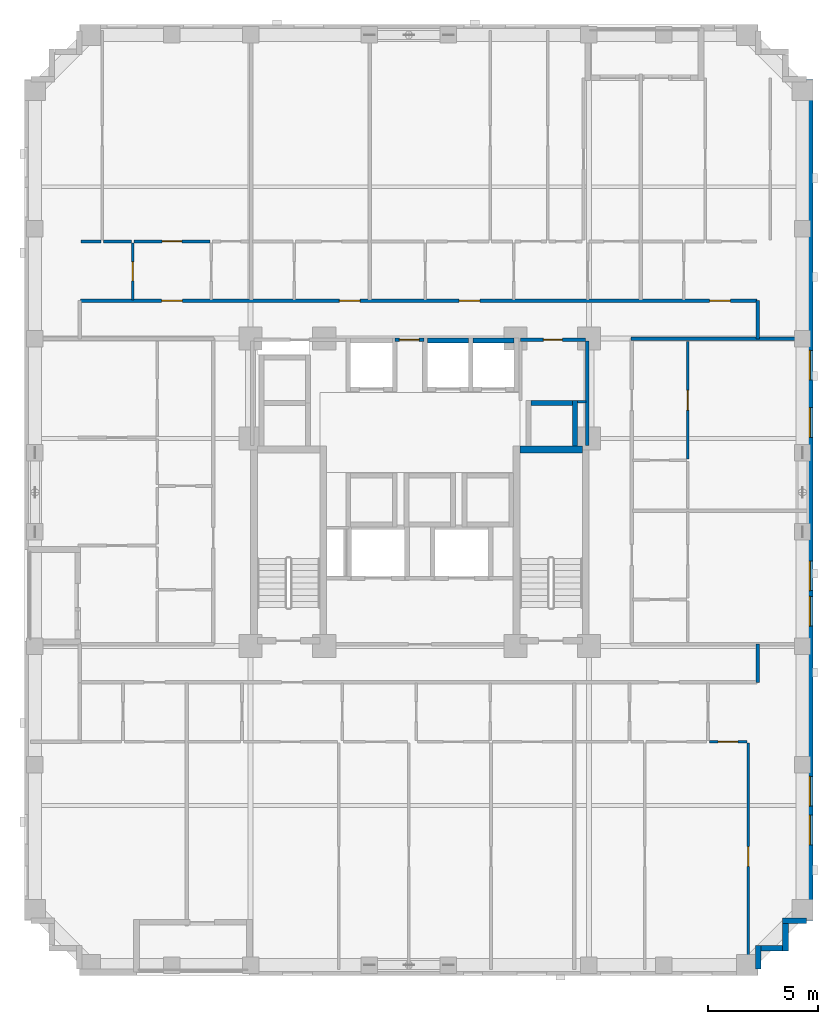
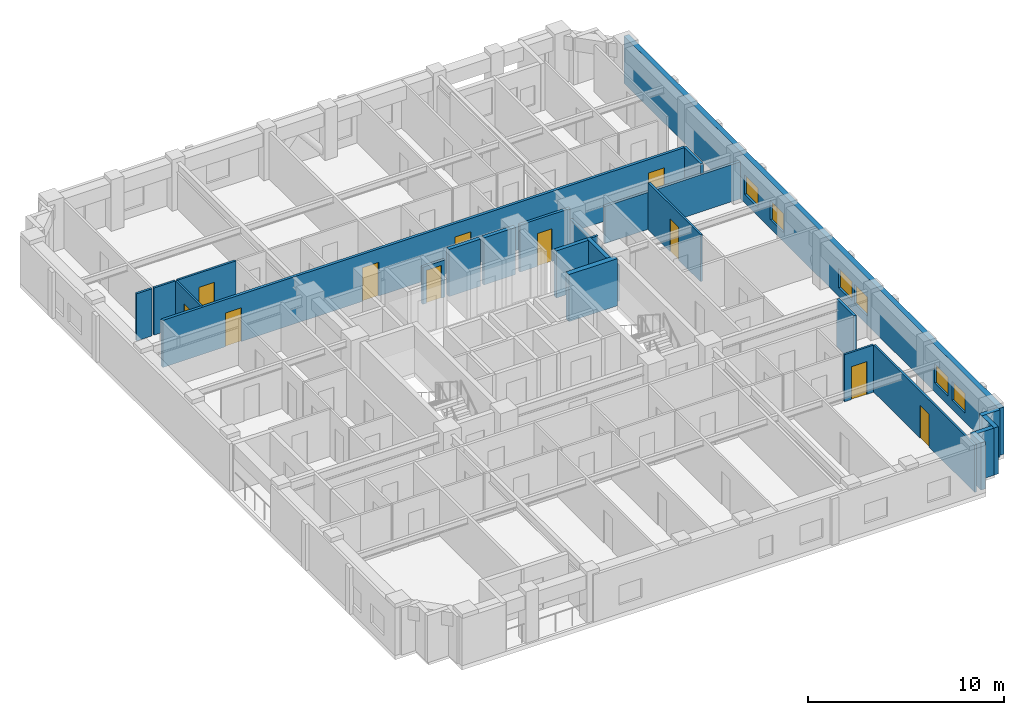
# One storey, part 6 of 12: 25 walls, 11 doors, 6 windows, 17 openings.
"""IFC4 building model written with IfcOpenShell, lengths in metres."""

from ifc_helpers import new_model, si_unit, derived_unit, direction, frame, frame_2d, origin, place, context, subcontext, project, spatial, rectangle, extrude, material, layer, layer_set, type_object, element, fill, save


model = new_model("IFC4")

# Units and contexts
model_context = context("Model", 3, precision=1e-05, world=origin(), true_north=direction((0.0, 1.0)))
body_context = subcontext(model_context, "Body", "Model", "MODEL_VIEW")
ifc_project = project(units=[si_unit("LENGTHUNIT", "METRE"), si_unit("AREAUNIT", "SQUARE_METRE"), si_unit("VOLUMEUNIT", "CUBIC_METRE"), si_unit("PLANEANGLEUNIT", "RADIAN"), si_unit("MASSUNIT", "GRAM", prefix="KILO"), derived_unit("THERMALTRANSMITTANCEUNIT", [(si_unit("MASSUNIT", "GRAM", prefix="KILO"), 1), (si_unit("TIMEUNIT", "SECOND"), -3), (si_unit("THERMODYNAMICTEMPERATUREUNIT", "KELVIN"), -1)])], contexts=[model_context])

# Site, building, storey
site_placement = place(None, origin())
site = spatial("IfcSite", under=ifc_project, at=site_placement, CompositionType="ELEMENT")
building_placement = place(site_placement, origin())
building = spatial("IfcBuilding", under=site, at=building_placement, Name="Korrvale Station Residences", CompositionType="ELEMENT")
storey_placement = place(building_placement, frame((0.0, 0.0, 107.10009765625)))
storey = spatial("IfcBuildingStorey", under=building, at=storey_placement, Name="L30", CompositionType="ELEMENT", Elevation=107.10009765625)

# Walls
ifc_material_1 = material(Name="Concrete C60/75", Category="concrete")
ifc_layer_1 = layer(ifc_material_1, 0.300048828125, Name="Concrete C60/75")
ifc_layer_set_1 = layer_set([ifc_layer_1], Name="Concrete C60/75")
wall_type_1 = type_object("IfcWallType", Name="WAL-CORE-300-C60", PredefinedType="SHEAR", material=ifc_layer_set_1)
wall_1_placement = place(storey_placement, frame((30.050048828125, 23.949951171875, 0.0), z_axis=(0.0, 0.0, 1.0), x_axis=(1.0, 0.0, 0.0)))
element("IfcWall", 1, at=wall_1_placement, inside=storey, type_object=wall_type_1, Name="L30 ST-2 Core Shear Wall North", PredefinedType="SHEAR", context=body_context, shape_type="SweptSolid", body=[
    extrude(rectangle(XDim=2.849853515625, YDim=0.300048828125, at=frame_2d((1.4248046875, 0.0))), origin(), (0.0, 0.0, 1.0), 2.93994140625),
])
ifc_material_2 = material(Name="Precast concrete C45/55", Category="concrete")
ifc_layer_2 = layer(ifc_material_2, 0.260009765625, Name="Precast concrete C45/55")
ifc_layer_set_2 = layer_set([ifc_layer_2], Name="Precast concrete C45/55")
wall_type_2 = type_object("IfcWallType", Name="WAL-EXT-LOG260", PredefinedType="SOLIDWALL", material=ifc_layer_set_2)
wall_2_placement = place(storey_placement, frame((43.097900390625, 2.5, 0.0), z_axis=(0.0, 0.0, 1.0), x_axis=(-1.0, 0.0, 0.0)))
element("IfcWall", 2, at=wall_2_placement, inside=storey, type_object=wall_type_2, Name="L30 Serrated Corner Precast Step SE-1", PredefinedType="SOLIDWALL", context=body_context, shape_type="SweptSolid", body=[
    extrude(rectangle(XDim=1.077880859375, YDim=0.260009765625, at=frame_2d((0.5390625, 0.0))), origin(), (0.0, 0.0, 1.0), 2.93994140625),
])
wall_3_placement = place(storey_placement, frame((42.14990234375, 2.367919921875, 0.0), z_axis=(0.0, 0.0, 1.0), x_axis=(0.0, -1.0, 0.0)))
element("IfcWall", 3, at=wall_3_placement, inside=storey, type_object=wall_type_2, Name="L30 Serrated Corner Precast Step SE-2", PredefinedType="SOLIDWALL", context=body_context, shape_type="SweptSolid", body=[
    extrude(rectangle(XDim=1.247802734375, YDim=0.260009765625, at=frame_2d((0.6240234375, 0.0))), origin(), (0.0, 0.0, 1.0), 2.93994140625),
])
wall_4_placement = place(storey_placement, frame((42.01806640625, 1.25, 0.0), z_axis=(0.0, 0.0, 1.0), x_axis=(-1.0, 0.0, 0.0)))
element("IfcWall", 4, at=wall_4_placement, inside=storey, type_object=wall_type_2, Name="L30 Serrated Corner Precast Step SE-3", PredefinedType="SOLIDWALL", context=body_context, shape_type="SweptSolid", body=[
    extrude(rectangle(XDim=0.986083984375, YDim=0.260009765625, at=frame_2d((0.4931640625, 0.0))), origin(), (0.0, 0.0, 1.0), 2.93994140625),
])
wall_5_placement = place(storey_placement, frame((40.89990234375, 1.3798828125, 0.0), z_axis=(0.0, 0.0, 1.0), x_axis=(0.0, -1.0, 0.0)))
element("IfcWall", 5, at=wall_5_placement, inside=storey, type_object=wall_type_2, Name="L30 Serrated Corner Precast Step SE-4", PredefinedType="SOLIDWALL", context=body_context, shape_type="SweptSolid", body=[
    extrude(rectangle(XDim=1.077880859375, YDim=0.260009765625, at=frame_2d((0.5390625, 0.0))), origin(), (0.0, 0.0, 1.0), 2.93994140625),
])

# Wall, openings, windows
ifc_layer_3 = layer(ifc_material_2, 0.300048828125, Name="Precast concrete C45/55")
ifc_layer_set_3 = layer_set([ifc_layer_3], Name="Precast concrete C45/55")
wall_type_3 = type_object("IfcWallType", Name="WAL-EXT-PC300", PredefinedType="SOLIDWALL", material=ifc_layer_set_3)
wall_6_placement = place(storey_placement, frame((43.25, 40.800048828125, 0.0), z_axis=(0.0, 0.0, 1.0), x_axis=(0.0, -1.0, 0.0)))
wall_6 = element("IfcWall", 6, at=wall_6_placement, inside=storey, type_object=wall_type_3, Name="L30 East Exterior Precast Wall 1", PredefinedType="SOLIDWALL", context=body_context, shape_type="SweptSolid", body=[
    extrude(rectangle(XDim=38.300048828125, YDim=0.300048828125, at=frame_2d((19.14990234375, 0.0))), origin(), (0.0, 0.0, 1.0), 2.93994140625),
])
opening_1_placement = place(wall_6_placement, frame((33.4951171875, 0.0, 0.550048828125)))
opening_1 = element("IfcOpeningElement", 7, at=opening_1_placement, cuts=wall_6, Name="Opening W-10", PredefinedType="OPENING", context=body_context, shape_type="SweptSolid", body=[
    extrude(rectangle(XDim=1.35009765625, YDim=1.199951171875, at=frame_2d((0.675048828125, 0.60009765625))), frame((0.0, 0.16015625, 0.0), z_axis=(0.0, -1.0, 0.0), x_axis=(1.0, 0.0, 0.0)), (0.0, 0.0, 1.0), 0.320068359375),
])
opening_2_placement = place(wall_6_placement, frame((31.735107421875, 0.0, 0.550048828125)))
opening_2 = element("IfcOpeningElement", 8, at=opening_2_placement, cuts=wall_6, Name="Opening W-10", PredefinedType="OPENING", context=body_context, shape_type="SweptSolid", body=[
    extrude(rectangle(XDim=1.35009765625, YDim=1.199951171875, at=frame_2d((0.675048828125, 0.60009765625))), frame((0.0, 0.16015625, 0.0), z_axis=(0.0, -1.0, 0.0), x_axis=(1.0, 0.0, 0.0)), (0.0, 0.0, 1.0), 0.320068359375),
])
opening_3_placement = place(wall_6_placement, frame((21.929931640625, 0.0, 0.550048828125)))
opening_3 = element("IfcOpeningElement", 9, at=opening_3_placement, cuts=wall_6, Name="Opening W-10", PredefinedType="OPENING", context=body_context, shape_type="SweptSolid", body=[
    extrude(rectangle(XDim=1.35009765625, YDim=1.199951171875, at=frame_2d((0.675048828125, 0.60009765625))), frame((0.0, 0.16015625, 0.0), z_axis=(0.0, -1.0, 0.0), x_axis=(1.0, 0.0, 0.0)), (0.0, 0.0, 1.0), 0.320068359375),
])
opening_4_placement = place(wall_6_placement, frame((23.5400390625, 0.0, 0.550048828125)))
opening_4 = element("IfcOpeningElement", 10, at=opening_4_placement, cuts=wall_6, Name="Opening W-10", PredefinedType="OPENING", context=body_context, shape_type="SweptSolid", body=[
    extrude(rectangle(XDim=1.35009765625, YDim=1.199951171875, at=frame_2d((0.675048828125, 0.60009765625))), frame((0.0, 0.16015625, 0.0), z_axis=(0.0, -1.0, 0.0), x_axis=(1.0, 0.0, 0.0)), (0.0, 0.0, 1.0), 0.320068359375),
])
opening_5_placement = place(wall_6_placement, frame((14.949951171875, 0.0, 0.550048828125)))
opening_5 = element("IfcOpeningElement", 11, at=opening_5_placement, cuts=wall_6, Name="Opening W-10", PredefinedType="OPENING", context=body_context, shape_type="SweptSolid", body=[
    extrude(rectangle(XDim=1.35009765625, YDim=1.199951171875, at=frame_2d((0.675048828125, 0.60009765625))), frame((0.0, 0.16015625, 0.0), z_axis=(0.0, -1.0, 0.0), x_axis=(1.0, 0.0, 0.0)), (0.0, 0.0, 1.0), 0.320068359375),
])
opening_6_placement = place(wall_6_placement, frame((12.3349609375, 0.0, 0.550048828125)))
opening_6 = element("IfcOpeningElement", 12, at=opening_6_placement, cuts=wall_6, Name="Opening W-10", PredefinedType="OPENING", context=body_context, shape_type="SweptSolid", body=[
    extrude(rectangle(XDim=1.35009765625, YDim=1.199951171875, at=frame_2d((0.675048828125, 0.60009765625))), frame((0.0, 0.16015625, 0.0), z_axis=(0.0, -1.0, 0.0), x_axis=(1.0, 0.0, 0.0)), (0.0, 0.0, 1.0), 0.320068359375),
])
ifc_material_3 = material(Name="Thermally broken aluminium frame with triple low-e glazing", Category="aluminium")
window_type = type_object("IfcWindowType", Name="WIN-W10", PartitioningType="SINGLE_PANEL", PredefinedType="WINDOW", material=ifc_material_3)
window_1_placement = place(opening_1_placement, origin())
window_1 = element("IfcWindow", 13, at=window_1_placement, inside=storey, type_object=window_type, Name="L30 Punched Window 08", OverallHeight=1.199951171875, OverallWidth=1.35009765625, PartitioningType="SINGLE_PANEL", PredefinedType="WINDOW", context=body_context, shape_type="SweptSolid", body=[
    extrude(rectangle(XDim=1.35009765625, YDim=1.199951171875, at=frame_2d((0.675048828125, 0.60009765625))), frame((0.0, 0.030029296875, 0.0), z_axis=(0.0, -1.0, 0.0), x_axis=(1.0, 0.0, 0.0)), (0.0, 0.0, 1.0), 0.06005859375),
])
fill(opening_1, window_1)
window_2_placement = place(opening_2_placement, origin())
window_2 = element("IfcWindow", 14, at=window_2_placement, inside=storey, type_object=window_type, Name="L30 Punched Window 09", OverallHeight=1.199951171875, OverallWidth=1.35009765625, PartitioningType="SINGLE_PANEL", PredefinedType="WINDOW", context=body_context, shape_type="SweptSolid", body=[
    extrude(rectangle(XDim=1.35009765625, YDim=1.199951171875, at=frame_2d((0.675048828125, 0.60009765625))), frame((0.0, 0.030029296875, 0.0), z_axis=(0.0, -1.0, 0.0), x_axis=(1.0, 0.0, 0.0)), (0.0, 0.0, 1.0), 0.06005859375),
])
fill(opening_2, window_2)
window_3_placement = place(opening_3_placement, origin())
window_3 = element("IfcWindow", 15, at=window_3_placement, inside=storey, type_object=window_type, Name="L30 Punched Window 21", OverallHeight=1.199951171875, OverallWidth=1.35009765625, PartitioningType="SINGLE_PANEL", PredefinedType="WINDOW", context=body_context, shape_type="SweptSolid", body=[
    extrude(rectangle(XDim=1.35009765625, YDim=1.199951171875, at=frame_2d((0.675048828125, 0.60009765625))), frame((0.0, 0.030029296875, 0.0), z_axis=(0.0, -1.0, 0.0), x_axis=(1.0, 0.0, 0.0)), (0.0, 0.0, 1.0), 0.06005859375),
])
fill(opening_3, window_3)
window_4_placement = place(opening_4_placement, origin())
window_4 = element("IfcWindow", 16, at=window_4_placement, inside=storey, type_object=window_type, Name="L30 Punched Window 22", OverallHeight=1.199951171875, OverallWidth=1.35009765625, PartitioningType="SINGLE_PANEL", PredefinedType="WINDOW", context=body_context, shape_type="SweptSolid", body=[
    extrude(rectangle(XDim=1.35009765625, YDim=1.199951171875, at=frame_2d((0.675048828125, 0.60009765625))), frame((0.0, 0.030029296875, 0.0), z_axis=(0.0, -1.0, 0.0), x_axis=(1.0, 0.0, 0.0)), (0.0, 0.0, 1.0), 0.06005859375),
])
fill(opening_4, window_4)
window_5_placement = place(opening_5_placement, origin())
window_5 = element("IfcWindow", 17, at=window_5_placement, inside=storey, type_object=window_type, Name="L30 Punched Window 23", OverallHeight=1.199951171875, OverallWidth=1.35009765625, PartitioningType="SINGLE_PANEL", PredefinedType="WINDOW", context=body_context, shape_type="SweptSolid", body=[
    extrude(rectangle(XDim=1.35009765625, YDim=1.199951171875, at=frame_2d((0.675048828125, 0.60009765625))), frame((0.0, 0.030029296875, 0.0), z_axis=(0.0, -1.0, 0.0), x_axis=(1.0, 0.0, 0.0)), (0.0, 0.0, 1.0), 0.06005859375),
])
fill(opening_5, window_5)
window_6_placement = place(opening_6_placement, origin())
window_6 = element("IfcWindow", 18, at=window_6_placement, inside=storey, type_object=window_type, Name="L30 Punched Window 24", OverallHeight=1.199951171875, OverallWidth=1.35009765625, PartitioningType="SINGLE_PANEL", PredefinedType="WINDOW", context=body_context, shape_type="SweptSolid", body=[
    extrude(rectangle(XDim=1.35009765625, YDim=1.199951171875, at=frame_2d((0.675048828125, 0.60009765625))), frame((0.0, 0.030029296875, 0.0), z_axis=(0.0, -1.0, 0.0), x_axis=(1.0, 0.0, 0.0)), (0.0, 0.0, 1.0), 0.06005859375),
])
fill(opening_6, window_6)

# Wall
ifc_material_4 = material(Name="Acoustic steel-stud gypsum board partition", Category="steel")
ifc_layer_4 = layer(ifc_material_4, 0.1201171875, Name="Acoustic steel-stud gypsum board partition")
ifc_layer_set_4 = layer_set([ifc_layer_4], Name="Acoustic steel-stud gypsum board partition")
wall_type_4 = type_object("IfcWallType", Name="WAL-PART-125", PredefinedType="PARTITIONING", material=ifc_layer_set_4)
wall_7_placement = place(storey_placement, frame((32.679931640625, 26.1201171875, 0.0), z_axis=(0.0, 0.0, 1.0), x_axis=(1.0, 0.0, 0.0)))
element("IfcWall", 19, at=wall_7_placement, inside=storey, type_object=wall_type_4, Name="L30 Core Partition CW-CS-S", PredefinedType="PARTITIONING", context=body_context, shape_type="SweptSolid", body=[
    extrude(rectangle(XDim=0.380126953125, YDim=0.1201171875, at=frame_2d((0.18994140625, 0.0))), origin(), (0.0, 0.0, 1.0), 2.93994140625),
])

# Wall, opening, door
wall_8_placement = place(storey_placement, frame((38.676025390625, 10.64990234375, 0.0), z_axis=(0.0, 0.0, 1.0), x_axis=(1.0, 0.0, 0.0)))
wall_8 = element("IfcWall", 20, at=wall_8_placement, inside=storey, type_object=wall_type_4, Name="L30 Suite Partition U03-H24", PredefinedType="PARTITIONING", context=body_context, shape_type="SweptSolid", body=[
    extrude(rectangle(XDim=1.7138671875, YDim=0.1201171875, at=frame_2d((0.85693359375, 0.0))), origin(), (0.0, 0.0, 1.0), 2.93994140625),
])
opening_7_placement = place(wall_8_placement, frame((0.406982421875, 0.0, 0.0)))
opening_7 = element("IfcOpeningElement", 21, at=opening_7_placement, cuts=wall_8, Name="Opening DI-900", PredefinedType="OPENING", context=body_context, shape_type="SweptSolid", body=[
    extrude(rectangle(XDim=0.89990234375, YDim=2.050048828125, at=frame_2d((0.449951171875, 1.02490234375))), frame((0.0, 0.070068359375, 0.0), z_axis=(0.0, -1.0, 0.0), x_axis=(1.0, 0.0, 0.0)), (0.0, 0.0, 1.0), 0.14013671875),
])
ifc_material_5 = material(Name="Painted solid-core timber interior room door", Category="wood")
door_type_1 = type_object("IfcDoorType", Name="DR-INT-900", OperationType="NOTDEFINED", PredefinedType="DOOR", material=ifc_material_5)
door_1_placement = place(opening_7_placement, origin())
door_1 = element("IfcDoor", 22, at=door_1_placement, inside=storey, type_object=door_type_1, Name="L30 Studio Apartment L30-U03 Utility and Laundry Room Door", OperationType="SINGLE_SWING_RIGHT", OverallHeight=2.050048828125, OverallWidth=0.89990234375, PredefinedType="DOOR", context=body_context, shape_type="SweptSolid", body=[
    extrude(rectangle(XDim=0.89990234375, YDim=2.050048828125, at=frame_2d((0.449951171875, 1.02490234375))), frame((0.0, 0.02490234375, 0.0), z_axis=(0.0, -1.0, 0.0), x_axis=(1.0, 0.0, 0.0)), (0.0, 0.0, 1.0), 0.050048828125),
])
fill(opening_7, door_1)

wall_9_placement = place(storey_placement, frame((40.449951171875, 0.280029296875, 0.0), z_axis=(0.0, 0.0, 1.0), x_axis=(0.0, 1.0, 0.0)))
wall_9 = element("IfcWall", 23, at=wall_9_placement, inside=storey, type_object=wall_type_4, Name="L30 Suite Partition U03-V45", PredefinedType="PARTITIONING", context=body_context, shape_type="SweptSolid", body=[
    extrude(rectangle(XDim=10.31005859375, YDim=0.1201171875, at=frame_2d((5.155029296875, 0.0))), origin(), (0.0, 0.0, 1.0), 2.93994140625),
])
opening_8_placement = place(wall_9_placement, frame((4.68994140625, 0.0, 0.0)))
opening_8 = element("IfcOpeningElement", 24, at=opening_8_placement, cuts=wall_9, Name="Opening DI-900", PredefinedType="OPENING", context=body_context, shape_type="SweptSolid", body=[
    extrude(rectangle(XDim=0.89990234375, YDim=2.050048828125, at=frame_2d((0.449951171875, 1.02490234375))), frame((0.0, 0.070068359375, 0.0), z_axis=(0.0, -1.0, 0.0), x_axis=(1.0, 0.0, 0.0)), (0.0, 0.0, 1.0), 0.14013671875),
])
door_2_placement = place(opening_8_placement, origin())
door_2 = element("IfcDoor", 25, at=door_2_placement, inside=storey, type_object=door_type_1, Name="L30 Studio Apartment L30-U03 Studio Living Room Door", OperationType="SINGLE_SWING_RIGHT", OverallHeight=2.050048828125, OverallWidth=0.89990234375, PredefinedType="DOOR", context=body_context, shape_type="SweptSolid", body=[
    extrude(rectangle(XDim=0.89990234375, YDim=2.050048828125, at=frame_2d((0.449951171875, 1.02490234375))), frame((0.0, 0.02490234375, 0.0), z_axis=(0.0, -1.0, 0.0), x_axis=(1.0, 0.0, 0.0)), (0.0, 0.0, 1.0), 0.050048828125),
])
fill(opening_8, door_2)

wall_10_placement = place(storey_placement, frame((12.431884765625, 30.760009765625, 0.0), z_axis=(0.0, 0.0, 1.0), x_axis=(0.0, 1.0, 0.0)))
wall_10 = element("IfcWall", 26, at=wall_10_placement, inside=storey, type_object=wall_type_4, Name="L30 Suite Partition U04-V01", PredefinedType="PARTITIONING", context=body_context, shape_type="SweptSolid", body=[
    extrude(rectangle(XDim=2.60009765625, YDim=0.1201171875, at=frame_2d((1.300048828125, 0.0))), origin(), (0.0, 0.0, 1.0), 2.93994140625),
])
opening_9_placement = place(wall_10_placement, frame((0.8701171875, 0.0, 0.0)))
opening_9 = element("IfcOpeningElement", 27, at=opening_9_placement, cuts=wall_10, Name="Opening DB-860", PredefinedType="OPENING", context=body_context, shape_type="SweptSolid", body=[
    extrude(rectangle(XDim=0.860107421875, YDim=2.050048828125, at=frame_2d((0.43017578125, 1.02490234375))), frame((0.0, 0.070068359375, 0.0), z_axis=(0.0, -1.0, 0.0), x_axis=(1.0, 0.0, 0.0)), (0.0, 0.0, 1.0), 0.14013671875),
])
ifc_material_6 = material(Name="Moisture-resistant solid-core bathroom door", Category="timber")
door_type_2 = type_object("IfcDoorType", Name="DR-BATH-860", OperationType="NOTDEFINED", PredefinedType="DOOR", material=ifc_material_6)
door_3_placement = place(opening_9_placement, origin())
door_3 = element("IfcDoor", 28, at=door_3_placement, inside=storey, type_object=door_type_2, Name="L30 Studio Apartment L30-U04 Bathroom Door", OperationType="SINGLE_SWING_LEFT", OverallHeight=2.050048828125, OverallWidth=0.860107421875, PredefinedType="DOOR", context=body_context, shape_type="SweptSolid", body=[
    extrude(rectangle(XDim=0.860107421875, YDim=2.050048828125, at=frame_2d((0.43017578125, 1.02490234375))), frame((0.0, 0.02490234375, 0.0), z_axis=(0.0, -1.0, 0.0), x_axis=(1.0, 0.0, 0.0)), (0.0, 0.0, 1.0), 0.050048828125),
])
fill(opening_9, door_3)

# Walls
wall_11_placement = place(storey_placement, frame((10.080078125, 33.419921875, 0.0), z_axis=(0.0, 0.0, 1.0), x_axis=(1.0, 0.0, 0.0)))
element("IfcWall", 29, at=wall_11_placement, inside=storey, type_object=wall_type_4, Name="L30 Suite Partition U04-H03", PredefinedType="PARTITIONING", context=body_context, shape_type="SweptSolid", body=[
    extrude(rectangle(XDim=0.909912109375, YDim=0.1201171875, at=frame_2d((0.455078125, 0.0))), origin(), (0.0, 0.0, 1.0), 2.93994140625),
])
wall_12_placement = place(storey_placement, frame((11.110107421875, 33.419921875, 0.0), z_axis=(0.0, 0.0, 1.0), x_axis=(1.0, 0.0, 0.0)))
element("IfcWall", 30, at=wall_12_placement, inside=storey, type_object=wall_type_4, Name="L30 Suite Partition U04-H04", PredefinedType="PARTITIONING", context=body_context, shape_type="SweptSolid", body=[
    extrude(rectangle(XDim=1.261962890625, YDim=0.1201171875, at=frame_2d((0.630859375, 0.0))), origin(), (0.0, 0.0, 1.0), 2.93994140625),
])

# Wall, opening, door
wall_13_placement = place(storey_placement, frame((12.491943359375, 33.419921875, 0.0), z_axis=(0.0, 0.0, 1.0), x_axis=(1.0, 0.0, 0.0)))
wall_13 = element("IfcWall", 31, at=wall_13_placement, inside=storey, type_object=wall_type_4, Name="L30 Suite Partition U04-H14", PredefinedType="PARTITIONING", context=body_context, shape_type="SweptSolid", body=[
    extrude(rectangle(XDim=3.449951171875, YDim=0.1201171875, at=frame_2d((1.72509765625, 0.0))), origin(), (0.0, 0.0, 1.0), 2.93994140625),
])
opening_10_placement = place(wall_13_placement, frame((1.27490234375, 0.0, 0.0)))
opening_10 = element("IfcOpeningElement", 32, at=opening_10_placement, cuts=wall_13, Name="Opening DI-900", PredefinedType="OPENING", context=body_context, shape_type="SweptSolid", body=[
    extrude(rectangle(XDim=0.89990234375, YDim=2.050048828125, at=frame_2d((0.449951171875, 1.02490234375))), frame((0.0, 0.070068359375, 0.0), z_axis=(0.0, -1.0, 0.0), x_axis=(1.0, 0.0, 0.0)), (0.0, 0.0, 1.0), 0.14013671875),
])
door_4_placement = place(opening_10_placement, origin())
door_4 = element("IfcDoor", 33, at=door_4_placement, inside=storey, type_object=door_type_1, Name="L30 Studio Apartment L30-U04 Kitchen Door", OperationType="SINGLE_SWING_LEFT", OverallHeight=2.050048828125, OverallWidth=0.89990234375, PredefinedType="DOOR", context=body_context, shape_type="SweptSolid", body=[
    extrude(rectangle(XDim=0.89990234375, YDim=2.050048828125, at=frame_2d((0.449951171875, 1.02490234375))), frame((0.0, 0.02490234375, 0.0), z_axis=(0.0, -1.0, 0.0), x_axis=(1.0, 0.0, 0.0)), (0.0, 0.0, 1.0), 0.050048828125),
])
fill(opening_10, door_4)

wall_14_placement = place(storey_placement, frame((37.699951171875, 23.527099609375, 0.0), z_axis=(0.0, 0.0, 1.0), x_axis=(0.0, 1.0, 0.0)))
wall_14 = element("IfcWall", 34, at=wall_14_placement, inside=storey, type_object=wall_type_4, Name="L30 Suite Partition U10-V12", PredefinedType="PARTITIONING", context=body_context, shape_type="SweptSolid", body=[
    extrude(rectangle(XDim=5.3330078125, YDim=0.1201171875, at=frame_2d((2.66650390625, 0.0))), origin(), (0.0, 0.0, 1.0), 2.93994140625),
])
opening_11_placement = place(wall_14_placement, frame((2.216064453125, 0.0, 0.0)))
opening_11 = element("IfcOpeningElement", 35, at=opening_11_placement, cuts=wall_14, Name="Opening DI-900", PredefinedType="OPENING", context=body_context, shape_type="SweptSolid", body=[
    extrude(rectangle(XDim=0.89990234375, YDim=2.050048828125, at=frame_2d((0.449951171875, 1.02490234375))), frame((0.0, 0.070068359375, 0.0), z_axis=(0.0, -1.0, 0.0), x_axis=(1.0, 0.0, 0.0)), (0.0, 0.0, 1.0), 0.14013671875),
])
door_5_placement = place(opening_11_placement, origin())
door_5 = element("IfcDoor", 36, at=door_5_placement, inside=storey, type_object=door_type_1, Name="L30 Apartment 1BR L30-U10 Kitchen Door", OperationType="SINGLE_SWING_LEFT", OverallHeight=2.050048828125, OverallWidth=0.89990234375, PredefinedType="DOOR", context=body_context, shape_type="SweptSolid", body=[
    extrude(rectangle(XDim=0.89990234375, YDim=2.050048828125, at=frame_2d((0.449951171875, 1.02490234375))), frame((0.0, 0.02490234375, 0.0), z_axis=(0.0, -1.0, 0.0), x_axis=(1.0, 0.0, 0.0)), (0.0, 0.0, 1.0), 0.050048828125),
])
fill(opening_11, door_5)

# Wall
ifc_material_7 = material(Name="Fire-rated twin-stud gypsum and mineral wool shaftwall assembly", Category="gypsum")
ifc_layer_5 = layer(ifc_material_7, 0.159912109375, Name="Fire-rated twin-stud gypsum and mineral wool shaftwall assembly")
ifc_layer_set_5 = layer_set([ifc_layer_5], Name="Fire-rated twin-stud gypsum and mineral wool shaftwall assembly")
wall_type_5 = type_object("IfcWallType", Name="WAL-PART-200", PredefinedType="PARTITIONING", material=ifc_layer_set_5)
wall_15_placement = place(storey_placement, frame((33.1201171875, 24.1201171875, 0.0), z_axis=(0.0, 0.0, 1.0), x_axis=(0.0, 1.0, 0.0)))
element("IfcWall", 37, at=wall_15_placement, inside=storey, type_object=wall_type_5, Name="L30 Core Partition CW-E-N", PredefinedType="PARTITIONING", context=body_context, shape_type="SweptSolid", body=[
    extrude(rectangle(XDim=4.759765625, YDim=0.159912109375, at=frame_2d((2.3798828125, 0.0))), origin(), (0.0, 0.0, 1.0), 2.27490234375),
])

# Wall, opening, door
wall_16_placement = place(storey_placement, frame((24.360107421875, 28.949951171875, 0.0), z_axis=(0.0, 0.0, 1.0), x_axis=(1.0, 0.0, 0.0)))
wall_16 = element("IfcWall", 38, at=wall_16_placement, inside=storey, type_object=wall_type_5, Name="L30 Core Partition CW-LLOB-N", PredefinedType="PARTITIONING", context=body_context, shape_type="SweptSolid", body=[
    extrude(rectangle(XDim=1.31982421875, YDim=0.159912109375, at=frame_2d((0.659912109375, 0.0))), origin(), (0.0, 0.0, 1.0), 2.31298828125),
])
opening_12_placement = place(wall_16_placement, frame((0.2099609375, 0.0, 0.0)))
opening_12 = element("IfcOpeningElement", 39, at=opening_12_placement, cuts=wall_16, Name="Opening DI-900", PredefinedType="OPENING", context=body_context, shape_type="SweptSolid", body=[
    extrude(rectangle(XDim=0.89990234375, YDim=2.050048828125, at=frame_2d((0.449951171875, 1.02490234375))), frame((0.0, 0.08984375, 0.0), z_axis=(0.0, -1.0, 0.0), x_axis=(1.0, 0.0, 0.0)), (0.0, 0.0, 1.0), 0.179931640625),
])
door_6_placement = place(opening_12_placement, origin())
door_6 = element("IfcDoor", 40, at=door_6_placement, inside=storey, type_object=door_type_1, Name="L30 Central Hallway North Passage Door", OperationType="SINGLE_SWING_LEFT", OverallHeight=2.050048828125, OverallWidth=0.89990234375, PredefinedType="DOOR", context=body_context, shape_type="SweptSolid", body=[
    extrude(rectangle(XDim=0.89990234375, YDim=2.050048828125, at=frame_2d((0.449951171875, 1.02490234375))), frame((0.0, 0.02490234375, 0.0), z_axis=(0.0, -1.0, 0.0), x_axis=(1.0, 0.0, 0.0)), (0.0, 0.0, 1.0), 0.050048828125),
])
fill(opening_12, door_6)

wall_17_placement = place(storey_placement, frame((30.080078125, 28.949951171875, 0.0), z_axis=(0.0, 0.0, 1.0), x_axis=(1.0, 0.0, 0.0)))
wall_17 = element("IfcWall", 41, at=wall_17_placement, inside=storey, type_object=wall_type_5, Name="L30 Core Partition CW-CS-N", PredefinedType="PARTITIONING", context=body_context, shape_type="SweptSolid", body=[
    extrude(rectangle(XDim=2.9599609375, YDim=0.159912109375, at=frame_2d((1.47998046875, 0.0))), origin(), (0.0, 0.0, 1.0), 2.93994140625),
])
opening_13_placement = place(wall_17_placement, frame((1.044921875, 0.0, 0.0)))
opening_13 = element("IfcOpeningElement", 42, at=opening_13_placement, cuts=wall_17, Name="Opening DB-860", PredefinedType="OPENING", context=body_context, shape_type="SweptSolid", body=[
    extrude(rectangle(XDim=0.860107421875, YDim=2.050048828125, at=frame_2d((0.43017578125, 1.02490234375))), frame((0.0, 0.08984375, 0.0), z_axis=(0.0, -1.0, 0.0), x_axis=(1.0, 0.0, 0.0)), (0.0, 0.0, 1.0), 0.179931640625),
])
door_7_placement = place(opening_13_placement, origin())
door_7 = element("IfcDoor", 43, at=door_7_placement, inside=storey, type_object=door_type_2, Name="L30 Parcel Room Door", OperationType="SINGLE_SWING_LEFT", OverallHeight=2.050048828125, OverallWidth=0.860107421875, PredefinedType="DOOR", context=body_context, shape_type="SweptSolid", body=[
    extrude(rectangle(XDim=0.860107421875, YDim=2.050048828125, at=frame_2d((0.43017578125, 1.02490234375))), frame((0.0, 0.02490234375, 0.0), z_axis=(0.0, -1.0, 0.0), x_axis=(1.0, 0.0, 0.0)), (0.0, 0.0, 1.0), 0.050048828125),
])
fill(opening_13, door_7)

# Walls
for number, where, z_axis, x_axis, name in (
    (44, (40.8798828125, 13.35009765625, 0.0), (0.0, 0.0, 1.0), (0.0, 1.0, 0.0), "L30 Corridor South East Cap"),
    (45, (40.8798828125, 28.97998046875, 0.0), (0.0, 0.0, 1.0), (0.0, 1.0, 0.0), "L30 Corridor North East Cap"),
):
    element("IfcWall", number, at=place(storey_placement, frame(where, z_axis=z_axis, x_axis=x_axis)), inside=storey, type_object=wall_type_5, Name=name, PredefinedType="PARTITIONING", context=body_context, shape_type="SweptSolid", body=[
        extrude(rectangle(XDim=1.739990234375, YDim=0.159912109375, at=frame_2d((0.8701171875, 0.0))), origin(), (0.0, 0.0, 1.0), 2.93994140625),
    ])
wall_18_placement = place(storey_placement, frame((35.110107421875, 28.97998046875, 0.0), z_axis=(0.0, 0.0, 1.0), x_axis=(1.0, 0.0, 0.0)))
element("IfcWall", 46, at=wall_18_placement, inside=storey, type_object=wall_type_5, Name="L30 East Wing North Corridor Wall", PredefinedType="PARTITIONING", context=body_context, shape_type="SweptSolid", body=[
    extrude(rectangle(XDim=8.010009765625, YDim=0.159912109375, at=frame_2d((4.0048828125, 0.0))), origin(), (0.0, 0.0, 1.0), 2.31298828125),
])

# Wall, openings, doors
wall_19_placement = place(storey_placement, frame((10.050048828125, 30.719970703125, 0.0), z_axis=(0.0, 0.0, 1.0), x_axis=(1.0, 0.0, 0.0)))
wall_19 = element("IfcWall", 47, at=wall_19_placement, inside=storey, type_object=wall_type_5, Name="L30 Rated Corridor Wall N", PredefinedType="PARTITIONING", context=body_context, shape_type="SweptSolid", body=[
    extrude(rectangle(XDim=30.800048828125, YDim=0.159912109375, at=frame_2d((15.39990234375, 0.0))), origin(), (0.0, 0.0, 1.0), 2.93994140625),
])
opening_14_placement = place(wall_19_placement, frame((3.69189453125, 0.0, 0.0)))
opening_14 = element("IfcOpeningElement", 48, at=opening_14_placement, cuts=wall_19, Name="Opening UD-950", PredefinedType="OPENING", context=body_context, shape_type="SweptSolid", body=[
    extrude(rectangle(XDim=0.949951171875, YDim=2.10009765625, at=frame_2d((0.47509765625, 1.050048828125))), frame((0.0, 0.08984375, 0.0), z_axis=(0.0, -1.0, 0.0), x_axis=(1.0, 0.0, 0.0)), (0.0, 0.0, 1.0), 0.179931640625),
])
opening_15_placement = place(wall_19_placement, frame((11.784912109375, 0.0, 0.0)))
opening_15 = element("IfcOpeningElement", 49, at=opening_15_placement, cuts=wall_19, Name="Opening UD-950", PredefinedType="OPENING", context=body_context, shape_type="SweptSolid", body=[
    extrude(rectangle(XDim=0.949951171875, YDim=2.10009765625, at=frame_2d((0.47509765625, 1.050048828125))), frame((0.0, 0.08984375, 0.0), z_axis=(0.0, -1.0, 0.0), x_axis=(1.0, 0.0, 0.0)), (0.0, 0.0, 1.0), 0.179931640625),
])
opening_16_placement = place(wall_19_placement, frame((17.235107421875, 0.0, 0.0)))
opening_16 = element("IfcOpeningElement", 50, at=opening_16_placement, cuts=wall_19, Name="Opening UD-950", PredefinedType="OPENING", context=body_context, shape_type="SweptSolid", body=[
    extrude(rectangle(XDim=0.949951171875, YDim=2.10009765625, at=frame_2d((0.47509765625, 1.050048828125))), frame((0.0, 0.08984375, 0.0), z_axis=(0.0, -1.0, 0.0), x_axis=(1.0, 0.0, 0.0)), (0.0, 0.0, 1.0), 0.179931640625),
])
opening_17_placement = place(wall_19_placement, frame((28.639892578125, 0.0, 0.0)))
opening_17 = element("IfcOpeningElement", 51, at=opening_17_placement, cuts=wall_19, Name="Opening UD-950", PredefinedType="OPENING", context=body_context, shape_type="SweptSolid", body=[
    extrude(rectangle(XDim=0.949951171875, YDim=2.10009765625, at=frame_2d((0.47509765625, 1.050048828125))), frame((0.0, 0.08984375, 0.0), z_axis=(0.0, -1.0, 0.0), x_axis=(1.0, 0.0, 0.0)), (0.0, 0.0, 1.0), 0.179931640625),
])
ifc_material_8 = material(Name="Solid-core acoustic oak apartment entrance door", Category="timber")
door_type_3 = type_object("IfcDoorType", Name="DR-UNIT-950", OperationType="NOTDEFINED", PredefinedType="DOOR", material=ifc_material_8)
door_8_placement = place(opening_14_placement, origin())
door_8 = element("IfcDoor", 52, at=door_8_placement, inside=storey, type_object=door_type_3, Name="L30 Apartment L30-U04 Entrance Door", OperationType="SINGLE_SWING_LEFT", OverallHeight=2.10009765625, OverallWidth=0.949951171875, PredefinedType="DOOR", context=body_context, shape_type="SweptSolid", body=[
    extrude(rectangle(XDim=0.949951171875, YDim=2.10009765625, at=frame_2d((0.47509765625, 1.050048828125))), frame((0.0, 0.02490234375, 0.0), z_axis=(0.0, -1.0, 0.0), x_axis=(1.0, 0.0, 0.0)), (0.0, 0.0, 1.0), 0.050048828125),
])
fill(opening_14, door_8)
door_9_placement = place(opening_15_placement, origin())
door_9 = element("IfcDoor", 53, at=door_9_placement, inside=storey, type_object=door_type_3, Name="L30 Apartment L30-U05 Entrance Door", OperationType="SINGLE_SWING_RIGHT", OverallHeight=2.10009765625, OverallWidth=0.949951171875, PredefinedType="DOOR", context=body_context, shape_type="SweptSolid", body=[
    extrude(rectangle(XDim=0.949951171875, YDim=2.10009765625, at=frame_2d((0.47509765625, 1.050048828125))), frame((0.0, 0.02490234375, 0.0), z_axis=(0.0, -1.0, 0.0), x_axis=(1.0, 0.0, 0.0)), (0.0, 0.0, 1.0), 0.050048828125),
])
fill(opening_15, door_9)
door_10_placement = place(opening_16_placement, origin())
door_10 = element("IfcDoor", 54, at=door_10_placement, inside=storey, type_object=door_type_3, Name="L30 Apartment L30-U06 Entrance Door", OperationType="SINGLE_SWING_LEFT", OverallHeight=2.10009765625, OverallWidth=0.949951171875, PredefinedType="DOOR", context=body_context, shape_type="SweptSolid", body=[
    extrude(rectangle(XDim=0.949951171875, YDim=2.10009765625, at=frame_2d((0.47509765625, 1.050048828125))), frame((0.0, 0.02490234375, 0.0), z_axis=(0.0, -1.0, 0.0), x_axis=(1.0, 0.0, 0.0)), (0.0, 0.0, 1.0), 0.050048828125),
])
fill(opening_16, door_10)
door_11_placement = place(opening_17_placement, origin())
door_11 = element("IfcDoor", 55, at=door_11_placement, inside=storey, type_object=door_type_3, Name="L30 Apartment L30-U07 Entrance Door", OperationType="SINGLE_SWING_RIGHT", OverallHeight=2.10009765625, OverallWidth=0.949951171875, PredefinedType="DOOR", context=body_context, shape_type="SweptSolid", body=[
    extrude(rectangle(XDim=0.949951171875, YDim=2.10009765625, at=frame_2d((0.47509765625, 1.050048828125))), frame((0.0, 0.02490234375, 0.0), z_axis=(0.0, -1.0, 0.0), x_axis=(1.0, 0.0, 0.0)), (0.0, 0.0, 1.0), 0.050048828125),
])
fill(opening_17, door_11)

# Walls
ifc_layer_6 = layer(ifc_material_1, 0.219970703125, Name="Concrete C60/75")
ifc_layer_set_6 = layer_set([ifc_layer_6], Name="Concrete C60/75")
wall_type_6 = type_object("IfcWallType", Name="WAL-SHAFT-220-C60", PredefinedType="SHEAR", material=ifc_layer_set_6)
wall_20_placement = place(storey_placement, frame((25.85009765625, 28.909912109375, 0.0), z_axis=(0.0, 0.0, 1.0), x_axis=(1.0, 0.0, 0.0)))
element("IfcWall", 56, at=wall_20_placement, inside=storey, type_object=wall_type_6, Name="L30 Elevator PL-2 Hoistway Wall North", PredefinedType="SHEAR", context=body_context, shape_type="SweptSolid", body=[
    extrude(rectangle(XDim=1.85986328125, YDim=0.219970703125, at=frame_2d((0.929931640625, 0.0))), origin(), (0.0, 0.0, 1.0), 2.93994140625),
])
wall_21_placement = place(storey_placement, frame((27.929931640625, 28.909912109375, 0.0), z_axis=(0.0, 0.0, 1.0), x_axis=(1.0, 0.0, 0.0)))
element("IfcWall", 57, at=wall_21_placement, inside=storey, type_object=wall_type_6, Name="L30 Elevator PL-3 Hoistway Wall North", PredefinedType="SHEAR", context=body_context, shape_type="SweptSolid", body=[
    extrude(rectangle(XDim=1.860107421875, YDim=0.219970703125, at=frame_2d((0.93017578125, 0.0))), origin(), (0.0, 0.0, 1.0), 2.93994140625),
])
wall_22_placement = place(storey_placement, frame((30.550048828125, 26.06005859375, 0.0), z_axis=(0.0, 0.0, 1.0), x_axis=(1.0, 0.0, 0.0)))
element("IfcWall", 58, at=wall_22_placement, inside=storey, type_object=wall_type_6, Name="L30 Elevator PH-3 Hoistway Wall North", PredefinedType="SHEAR", context=body_context, shape_type="SweptSolid", body=[
    extrude(rectangle(XDim=1.89990234375, YDim=0.219970703125, at=frame_2d((0.949951171875, 0.0))), origin(), (0.0, 0.0, 1.0), 2.93994140625),
])
wall_23_placement = place(storey_placement, frame((32.56005859375, 24.10009765625, 0.0), z_axis=(0.0, 0.0, 1.0), x_axis=(0.0, 1.0, 0.0)))
element("IfcWall", 59, at=wall_23_placement, inside=storey, type_object=wall_type_6, Name="L30 Elevator PH-3 Hoistway Wall East", PredefinedType="SHEAR", context=body_context, shape_type="SweptSolid", body=[
    extrude(rectangle(XDim=2.06982421875, YDim=0.219970703125, at=frame_2d((1.034912109375, 0.0))), origin(), (0.0, 0.0, 1.0), 2.93994140625),
])

save(model, "model.ifc")
